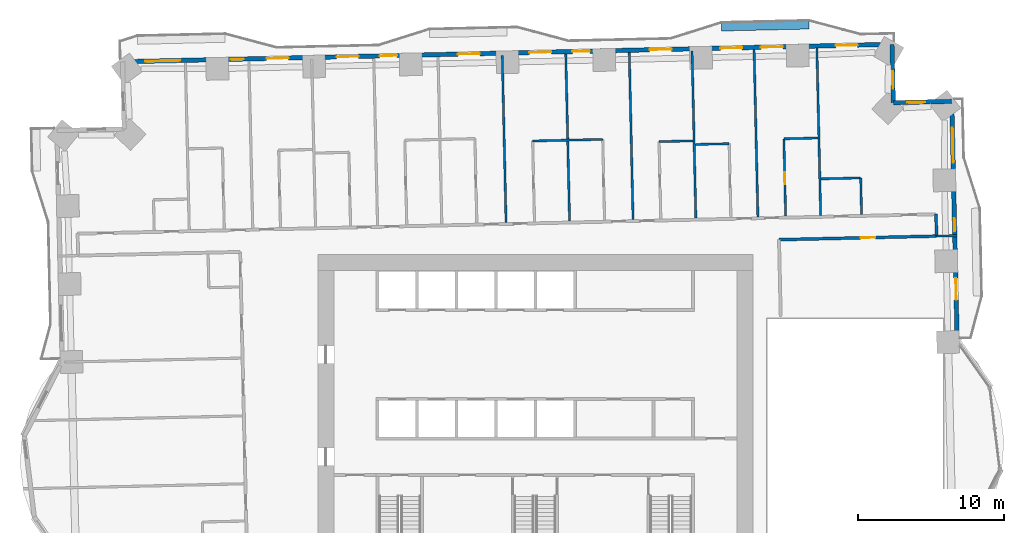
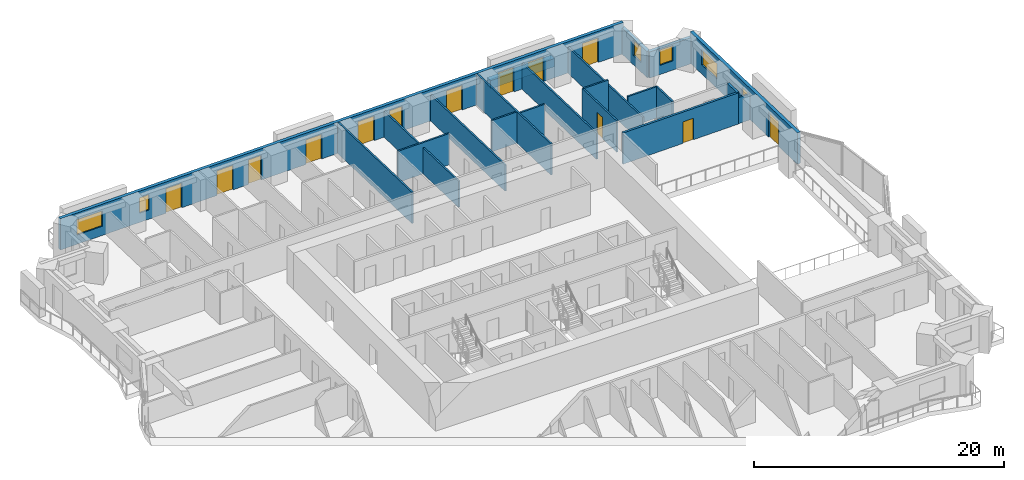
# One storey, part 11 of 16: 21 walls, 13 doors, 6 windows, 19 openings.
"""IFC4 building model written with IfcOpenShell, lengths in metres."""

from ifc_helpers import new_model, si_unit, direction, frame, frame_2d, origin, place, context, subcontext, project, spatial, rectangle, extrude, material, layer, layer_set, type_object, element, fill, save


model = new_model("IFC4")

# Units and contexts
model_context = context("Model", 3, precision=1e-05, world=origin(), true_north=direction((0.0, 1.0)))
body_context = subcontext(model_context, "Body", "Model", "MODEL_VIEW")
ifc_project = project(units=[si_unit("LENGTHUNIT", "METRE"), si_unit("AREAUNIT", "SQUARE_METRE"), si_unit("VOLUMEUNIT", "CUBIC_METRE"), si_unit("PLANEANGLEUNIT", "RADIAN"), si_unit("MASSUNIT", "GRAM", prefix="KILO")], contexts=[model_context])

# Site, building, storey
site_placement = place(None, origin())
site = spatial("IfcSite", under=ifc_project, at=site_placement, CompositionType="ELEMENT")
building_placement = place(site_placement, origin())
building = spatial("IfcBuilding", under=site, at=building_placement, Name="Mangrove Gate Tower", CompositionType="ELEMENT")
storey_placement = place(building_placement, frame((0.0, 0.0, 37.699951171875)))
storey = spatial("IfcBuildingStorey", under=building, at=storey_placement, Name="L08", CompositionType="ELEMENT", Elevation=37.699951171875)

# Wall, opening, door
ifc_material_1 = material(Name="Gypsum board on steel stud, EI 60", Category="steel")
ifc_layer_1 = layer(ifc_material_1, 0.199951171875)
ifc_layer_set_1 = layer_set([ifc_layer_1], Name="Corridor wall EI 60")
wall_type_1 = type_object("IfcWallType", Name="Corridor wall EI 60", PredefinedType="PARTITIONING", material=ifc_layer_set_1)
wall_1_placement = place(storey_placement, frame((16.678955078125, 12.91796875, 0.0), z_axis=(0.0, 0.0, 1.0), x_axis=(0.999742162372, 0.022707020428, 0.0)))
wall_1 = element("IfcWall", 1, at=wall_1_placement, inside=storey, type_object=wall_type_1, Name="WALL-L08-053", PredefinedType="PARTITIONING", context=body_context, shape_type="SweptSolid", body=[
    extrude(rectangle(XDim=10.794677734375, YDim=0.199951171875, at=frame_2d((5.3974609375, 0.0))), origin(), (0.0, 0.0, 1.0), 3.050048828125),
])
opening_1_placement = place(wall_1_placement, frame((5.597900390625, 0.0, 0.0)))
opening_1 = element("IfcOpeningElement", 2, at=opening_1_placement, cuts=wall_1, Name="Opening AD", PredefinedType="OPENING", context=body_context, shape_type="SweptSolid", body=[
    extrude(rectangle(XDim=1.0, YDim=2.10009765625, at=frame_2d((0.5, 1.050048828125))), frame((0.0, 0.10986328125, 0.0), z_axis=(0.0, -1.0, 0.0), x_axis=(1.0, 0.0, 0.0)), (0.0, 0.0, 1.0), 0.219970703125),
])
ifc_material_2 = material(Name="Timber door leaf", Category="wood")
door_type_1 = type_object("IfcDoorType", Name="Amenity door 1000", OperationType="SINGLE_SWING_LEFT", PredefinedType="DOOR", material=ifc_material_2)
door_1_placement = place(opening_1_placement, origin())
door_1 = element("IfcDoor", 3, at=door_1_placement, inside=storey, type_object=door_type_1, Name="DOOR-L08-GAM-c3b", OperationType="SINGLE_SWING_RIGHT", OverallHeight=2.10009765625, OverallWidth=1.0, PredefinedType="DOOR", context=body_context, shape_type="SweptSolid", body=[
    extrude(rectangle(XDim=1.0, YDim=2.10009765625, at=frame_2d((0.5, 1.050048828125))), frame((0.0, 0.02490234375, 0.0), z_axis=(0.0, -1.0, 0.0), x_axis=(1.0, 0.0, 0.0)), (0.0, 0.0, 1.0), 0.050048828125),
])
fill(opening_1, door_1)

# Wall
wall_2_placement = place(storey_placement, frame((27.470947265625, 13.1630859375, 0.0), z_axis=(0.0, 0.0, 1.0), x_axis=(-0.022617910375, 0.999744182344, 0.0)))
element("IfcWall", 4, at=wall_2_placement, inside=storey, type_object=wall_type_1, Name="WALL-L08-055", PredefinedType="PARTITIONING", context=body_context, shape_type="SweptSolid", body=[
    extrude(rectangle(XDim=1.50048828125, YDim=0.199951171875, at=frame_2d((0.750244140625, 0.0))), origin(), (0.0, 0.0, 1.0), 3.050048828125),
])

# Wall, openings, door, windows
ifc_material_3 = material(Name="Limestone", Category="masonry")
ifc_layer_2 = layer(ifc_material_3, 0.0400390625, Name="Limestone cladding")
ifc_material_4 = material(Name="Ventilated air gap")
ifc_layer_3 = layer(ifc_material_4, 0.0400390625, Name="Ventilated cavity")
ifc_material_5 = material(Name="Mineral wool insulation")
ifc_layer_4 = layer(ifc_material_5, 0.06005859375, Name="Insulation")
ifc_material_6 = material(Name="Breather membrane")
ifc_layer_5 = layer(ifc_material_6, 0.001953125, Name="Breather membrane")
ifc_material_7 = material(Name="Concrete C20/25 blockwork", Category="masonry")
ifc_layer_6 = layer(ifc_material_7, 0.14990234375, Name="Blockwork backing wall")
ifc_material_8 = material(Name="Gypsum plaster")
ifc_layer_7 = layer(ifc_material_8, 0.008056640625, Name="Internal plaster")
ifc_layer_set_2 = layer_set([ifc_layer_2, ifc_layer_3, ifc_layer_4, ifc_layer_5, ifc_layer_6, ifc_layer_7], Name="External wall 300 limestone cladding")
wall_type_2 = type_object("IfcWallType", Name="External wall 300 limestone cladding", PredefinedType="SOLIDWALL", material=ifc_layer_set_2)
wall_3_placement = place(storey_placement, frame((28.886962890625, 5.864013671875, 0.0), z_axis=(0.0, 0.0, 1.0), x_axis=(-0.022687182773, 0.999742612745, 0.0)))
wall_3 = element("IfcWall", 5, at=wall_3_placement, inside=storey, type_object=wall_type_2, Name="WALL-L08-E2", PredefinedType="SOLIDWALL", context=body_context, shape_type="SweptSolid", body=[
    extrude(rectangle(XDim=16.529052734375, YDim=0.300048828125, at=frame_2d((8.2646484375, 0.0))), origin(), (0.0, 0.0, 1.0), 3.050048828125),
])
opening_2_placement = place(wall_3_placement, frame((2.928955078125, 0.0, 0.0)))
opening_2 = element("IfcOpeningElement", 6, at=opening_2_placement, cuts=wall_3, Name="Opening BD1", PredefinedType="OPENING", context=body_context, shape_type="SweptSolid", body=[
    extrude(rectangle(XDim=1.5, YDim=2.39990234375, at=frame_2d((0.75, 1.199951171875))), frame((0.0, 0.159912109375, 0.0), z_axis=(0.0, -1.0, 0.0), x_axis=(1.0, 0.0, 0.0)), (0.0, 0.0, 1.0), 0.320068359375),
])
opening_3_placement = place(wall_3_placement, frame((7.62890625, 0.0, 0.89990234375)))
opening_3 = element("IfcOpeningElement", 7, at=opening_3_placement, cuts=wall_3, Name="Opening W5", PredefinedType="OPENING", context=body_context, shape_type="SweptSolid", body=[
    extrude(rectangle(XDim=0.89990234375, YDim=1.5, at=frame_2d((0.449951171875, 0.75))), frame((0.0, 0.159912109375, 0.0), z_axis=(0.0, -1.0, 0.0), x_axis=(1.0, 0.0, 0.0)), (0.0, 0.0, 1.0), 0.320068359375),
])
opening_4_placement = place(wall_3_placement, frame((12.3291015625, 0.0, 0.89990234375)))
opening_4 = element("IfcOpeningElement", 8, at=opening_4_placement, cuts=wall_3, Name="Opening W2", PredefinedType="OPENING", context=body_context, shape_type="SweptSolid", body=[
    extrude(rectangle(XDim=2.39990234375, YDim=1.5, at=frame_2d((1.199951171875, 0.75))), frame((0.0, 0.159912109375, 0.0), z_axis=(0.0, -1.0, 0.0), x_axis=(1.0, 0.0, 0.0)), (0.0, 0.0, 1.0), 0.320068359375),
])
ifc_material_9 = material(Name="Aluminium frame with laminated clear glass", Category="aluminium")
door_type_2 = type_object("IfcDoorType", Name="Balcony sliding door 1500x2400", OperationType="SLIDING_TO_LEFT", PredefinedType="DOOR", material=ifc_material_9)
door_2_placement = place(opening_2_placement, origin())
door_2 = element("IfcDoor", 9, at=door_2_placement, inside=storey, type_object=door_type_2, Name="DOOR-L08-E2-1", OperationType="SLIDING_TO_LEFT", OverallHeight=2.39990234375, OverallWidth=1.5, PredefinedType="DOOR", context=body_context, shape_type="SweptSolid", body=[
    extrude(rectangle(XDim=1.5, YDim=2.39990234375, at=frame_2d((0.75, 1.199951171875))), frame((0.0, 0.02490234375, 0.0), z_axis=(0.0, -1.0, 0.0), x_axis=(1.0, 0.0, 0.0)), (0.0, 0.0, 1.0), 0.050048828125),
])
fill(opening_2, door_2)
ifc_material_10 = material(Name="Aluminium frame with double-glazed low-e glass", Category="aluminium")
window_type_1 = type_object("IfcWindowType", Name="Corner room window 2400x1500", PartitioningType="DOUBLE_PANEL_VERTICAL", PredefinedType="WINDOW", material=ifc_material_10)
window_1_placement = place(opening_4_placement, origin())
window_1 = element("IfcWindow", 10, at=window_1_placement, inside=storey, type_object=window_type_1, Name="WIN-L08-E2-3", OverallHeight=1.5, OverallWidth=2.39990234375, PartitioningType="DOUBLE_PANEL_VERTICAL", PredefinedType="WINDOW", context=body_context, shape_type="SweptSolid", body=[
    extrude(rectangle(XDim=2.39990234375, YDim=1.5, at=frame_2d((1.199951171875, 0.75))), frame((0.0, 0.030029296875, 0.0), z_axis=(0.0, -1.0, 0.0), x_axis=(1.0, 0.0, 0.0)), (0.0, 0.0, 1.0), 0.06005859375),
])
fill(opening_4, window_1)
ifc_material_11 = material(Name="Aluminium frame with double-glazed low-e glass", Category="aluminium")
window_type_2 = type_object("IfcWindowType", Name="Narrow window 900x1500", PartitioningType="SINGLE_PANEL", PredefinedType="WINDOW", material=ifc_material_11)
window_2_placement = place(opening_3_placement, origin())
window_2 = element("IfcWindow", 11, at=window_2_placement, inside=storey, type_object=window_type_2, Name="WIN-L08-E2-2", OverallHeight=1.5, OverallWidth=0.89990234375, PartitioningType="SINGLE_PANEL", PredefinedType="WINDOW", context=body_context, shape_type="SweptSolid", body=[
    extrude(rectangle(XDim=0.89990234375, YDim=1.5, at=frame_2d((0.449951171875, 0.75))), frame((0.0, 0.030029296875, 0.0), z_axis=(0.0, -1.0, 0.0), x_axis=(1.0, 0.0, 0.0)), (0.0, 0.0, 1.0), 0.06005859375),
])
fill(opening_3, window_2)

# Wall, opening, window
wall_4_placement = place(storey_placement, frame((28.511962890625, 22.388916015625, 0.0), z_axis=(0.0, 0.0, 1.0), x_axis=(-0.999747725427, -0.022460754759, 0.0)))
wall_4 = element("IfcWall", 12, at=wall_4_placement, inside=storey, type_object=wall_type_2, Name="WALL-L08-N3", PredefinedType="SOLIDWALL", context=body_context, shape_type="SweptSolid", body=[
    extrude(rectangle(XDim=4.0, YDim=0.300048828125, at=frame_2d((2.0, 0.0))), origin(), (0.0, 0.0, 1.0), 2.550048828125),
])
opening_5_placement = place(wall_4_placement, frame((1.8310546875, 0.0, 0.89990234375)))
opening_5 = element("IfcOpeningElement", 13, at=opening_5_placement, cuts=wall_4, Name="Opening W1", PredefinedType="OPENING", context=body_context, shape_type="SweptSolid", body=[
    extrude(rectangle(XDim=1.199951171875, YDim=1.5, at=frame_2d((0.60009765625, 0.75))), frame((0.0, 0.159912109375, 0.0), z_axis=(0.0, -1.0, 0.0), x_axis=(1.0, 0.0, 0.0)), (0.0, 0.0, 1.0), 0.320068359375),
])
ifc_material_12 = material(Name="Aluminium frame with double-glazed low-e glass", Category="aluminium")
window_type_3 = type_object("IfcWindowType", Name="Side lite 1200x1500", PartitioningType="SINGLE_PANEL", PredefinedType="WINDOW", material=ifc_material_12)
window_3_placement = place(opening_5_placement, origin())
window_3 = element("IfcWindow", 14, at=window_3_placement, inside=storey, type_object=window_type_3, Name="WIN-L08-N3-1", OverallHeight=1.5, OverallWidth=1.199951171875, PartitioningType="SINGLE_PANEL", PredefinedType="WINDOW", context=body_context, shape_type="SweptSolid", body=[
    extrude(rectangle(XDim=1.199951171875, YDim=1.5, at=frame_2d((0.60009765625, 0.75))), frame((0.0, 0.030029296875, 0.0), z_axis=(0.0, -1.0, 0.0), x_axis=(1.0, 0.0, 0.0)), (0.0, 0.0, 1.0), 0.06005859375),
])
fill(opening_5, window_3)

wall_5_placement = place(storey_placement, frame((24.512939453125, 22.299072265625, 0.0), z_axis=(0.0, 0.0, 1.0), x_axis=(-0.022460754759, 0.999747725427, 0.0)))
wall_5 = element("IfcWall", 15, at=wall_5_placement, inside=storey, type_object=wall_type_2, Name="WALL-L08-E4", PredefinedType="SOLIDWALL", context=body_context, shape_type="SweptSolid", body=[
    extrude(rectangle(XDim=4.0, YDim=0.300048828125, at=frame_2d((2.0, 0.0))), origin(), (0.0, 0.0, 1.0), 2.550048828125),
])
opening_6_placement = place(wall_5_placement, frame((0.9599609375, 0.0, 0.89990234375)))
opening_6 = element("IfcOpeningElement", 16, at=opening_6_placement, cuts=wall_5, Name="Opening W1", PredefinedType="OPENING", context=body_context, shape_type="SweptSolid", body=[
    extrude(rectangle(XDim=1.199951171875, YDim=1.5, at=frame_2d((0.60009765625, 0.75))), frame((0.0, 0.159912109375, 0.0), z_axis=(0.0, -1.0, 0.0), x_axis=(1.0, 0.0, 0.0)), (0.0, 0.0, 1.0), 0.320068359375),
])
window_4_placement = place(opening_6_placement, origin())
window_4 = element("IfcWindow", 17, at=window_4_placement, inside=storey, type_object=window_type_3, Name="WIN-L08-E4-1", OverallHeight=1.5, OverallWidth=1.199951171875, PartitioningType="SINGLE_PANEL", PredefinedType="WINDOW", context=body_context, shape_type="SweptSolid", body=[
    extrude(rectangle(XDim=1.199951171875, YDim=1.5, at=frame_2d((0.60009765625, 0.75))), frame((0.0, 0.030029296875, 0.0), z_axis=(0.0, -1.0, 0.0), x_axis=(1.0, 0.0, 0.0)), (0.0, 0.0, 1.0), 0.06005859375),
])
fill(opening_6, window_4)

# Wall, openings, doors, windows
wall_6_placement = place(storey_placement, frame((24.423095703125, 26.298095703125, 0.0), z_axis=(0.0, 0.0, 1.0), x_axis=(-0.999742433108, -0.022695097355, 0.0)))
wall_6 = element("IfcWall", 18, at=wall_6_placement, inside=storey, type_object=wall_type_2, Name="WALL-L08-N5", PredefinedType="SOLIDWALL", context=body_context, shape_type="SweptSolid", body=[
    extrude(rectangle(XDim=52.70068359375, YDim=0.300048828125, at=frame_2d((26.350341796875, 0.0))), origin(), (0.0, 0.0, 1.0), 3.050048828125),
])
opening_7_placement = place(wall_6_placement, frame((2.35693359375, 0.0, 0.0)))
opening_7 = element("IfcOpeningElement", 19, at=opening_7_placement, cuts=wall_6, Name="Opening BD1", PredefinedType="OPENING", context=body_context, shape_type="SweptSolid", body=[
    extrude(rectangle(XDim=1.5, YDim=2.39990234375, at=frame_2d((0.75, 1.199951171875))), frame((0.0, 0.159912109375, 0.0), z_axis=(0.0, -1.0, 0.0), x_axis=(1.0, 0.0, 0.0)), (0.0, 0.0, 1.0), 0.320068359375),
])
opening_8_placement = place(wall_6_placement, frame((7.47509765625, 0.0, 0.0)))
opening_8 = element("IfcOpeningElement", 20, at=opening_8_placement, cuts=wall_6, Name="Opening BD1", PredefinedType="OPENING", context=body_context, shape_type="SweptSolid", body=[
    extrude(rectangle(XDim=1.5, YDim=2.39990234375, at=frame_2d((0.75, 1.199951171875))), frame((0.0, 0.159912109375, 0.0), z_axis=(0.0, -1.0, 0.0), x_axis=(1.0, 0.0, 0.0)), (0.0, 0.0, 1.0), 0.320068359375),
])
opening_9_placement = place(wall_6_placement, frame((10.261962890625, 0.0, 0.0)))
opening_9 = element("IfcOpeningElement", 21, at=opening_9_placement, cuts=wall_6, Name="Opening BD1", PredefinedType="OPENING", context=body_context, shape_type="SweptSolid", body=[
    extrude(rectangle(XDim=1.5, YDim=2.39990234375, at=frame_2d((0.75, 1.199951171875))), frame((0.0, 0.159912109375, 0.0), z_axis=(0.0, -1.0, 0.0), x_axis=(1.0, 0.0, 0.0)), (0.0, 0.0, 1.0), 0.320068359375),
])
opening_10_placement = place(wall_6_placement, frame((15.10009765625, 0.0, 0.0)))
opening_10 = element("IfcOpeningElement", 22, at=opening_10_placement, cuts=wall_6, Name="Opening BD1", PredefinedType="OPENING", context=body_context, shape_type="SweptSolid", body=[
    extrude(rectangle(XDim=1.5, YDim=2.39990234375, at=frame_2d((0.75, 1.199951171875))), frame((0.0, 0.159912109375, 0.0), z_axis=(0.0, -1.0, 0.0), x_axis=(1.0, 0.0, 0.0)), (0.0, 0.0, 1.0), 0.320068359375),
])
opening_11_placement = place(wall_6_placement, frame((20.699951171875, 0.0, 0.0)))
opening_11 = element("IfcOpeningElement", 23, at=opening_11_placement, cuts=wall_6, Name="Opening BD2", PredefinedType="OPENING", context=body_context, shape_type="SweptSolid", body=[
    extrude(rectangle(XDim=1.199951171875, YDim=2.39990234375, at=frame_2d((0.60009765625, 1.199951171875))), frame((0.0, 0.159912109375, 0.0), z_axis=(0.0, -1.0, 0.0), x_axis=(1.0, 0.0, 0.0)), (0.0, 0.0, 1.0), 0.320068359375),
])
opening_12_placement = place(wall_6_placement, frame((23.3369140625, 0.0, 0.0)))
opening_12 = element("IfcOpeningElement", 24, at=opening_12_placement, cuts=wall_6, Name="Opening BD1", PredefinedType="OPENING", context=body_context, shape_type="SweptSolid", body=[
    extrude(rectangle(XDim=1.5, YDim=2.39990234375, at=frame_2d((0.75, 1.199951171875))), frame((0.0, 0.159912109375, 0.0), z_axis=(0.0, -1.0, 0.0), x_axis=(1.0, 0.0, 0.0)), (0.0, 0.0, 1.0), 0.320068359375),
])
opening_13_placement = place(wall_6_placement, frame((28.238037109375, 0.0, 0.0)))
opening_13 = element("IfcOpeningElement", 25, at=opening_13_placement, cuts=wall_6, Name="Opening BD1", PredefinedType="OPENING", context=body_context, shape_type="SweptSolid", body=[
    extrude(rectangle(XDim=1.5, YDim=2.39990234375, at=frame_2d((0.75, 1.199951171875))), frame((0.0, 0.159912109375, 0.0), z_axis=(0.0, -1.0, 0.0), x_axis=(1.0, 0.0, 0.0)), (0.0, 0.0, 1.0), 0.320068359375),
])
opening_14_placement = place(wall_6_placement, frame((33.89990234375, 0.0, 0.0)))
opening_14 = element("IfcOpeningElement", 26, at=opening_14_placement, cuts=wall_6, Name="Opening BD2", PredefinedType="OPENING", context=body_context, shape_type="SweptSolid", body=[
    extrude(rectangle(XDim=1.199951171875, YDim=2.39990234375, at=frame_2d((0.60009765625, 1.199951171875))), frame((0.0, 0.159912109375, 0.0), z_axis=(0.0, -1.0, 0.0), x_axis=(1.0, 0.0, 0.0)), (0.0, 0.0, 1.0), 0.320068359375),
])
opening_15_placement = place(wall_6_placement, frame((36.5380859375, 0.0, 0.0)))
opening_15 = element("IfcOpeningElement", 27, at=opening_15_placement, cuts=wall_6, Name="Opening BD1", PredefinedType="OPENING", context=body_context, shape_type="SweptSolid", body=[
    extrude(rectangle(XDim=1.5, YDim=2.39990234375, at=frame_2d((0.75, 1.199951171875))), frame((0.0, 0.159912109375, 0.0), z_axis=(0.0, -1.0, 0.0), x_axis=(1.0, 0.0, 0.0)), (0.0, 0.0, 1.0), 0.320068359375),
])
opening_16_placement = place(wall_6_placement, frame((41.337890625, 0.0, 0.0)))
opening_16 = element("IfcOpeningElement", 28, at=opening_16_placement, cuts=wall_6, Name="Opening BD1", PredefinedType="OPENING", context=body_context, shape_type="SweptSolid", body=[
    extrude(rectangle(XDim=1.5, YDim=2.39990234375, at=frame_2d((0.75, 1.199951171875))), frame((0.0, 0.159912109375, 0.0), z_axis=(0.0, -1.0, 0.0), x_axis=(1.0, 0.0, 0.0)), (0.0, 0.0, 1.0), 0.320068359375),
])
opening_17_placement = place(wall_6_placement, frame((44.39990234375, 0.0, 0.89990234375)))
opening_17 = element("IfcOpeningElement", 29, at=opening_17_placement, cuts=wall_6, Name="Opening W5", PredefinedType="OPENING", context=body_context, shape_type="SweptSolid", body=[
    extrude(rectangle(XDim=0.89990234375, YDim=1.5, at=frame_2d((0.449951171875, 0.75))), frame((0.0, 0.159912109375, 0.0), z_axis=(0.0, -1.0, 0.0), x_axis=(1.0, 0.0, 0.0)), (0.0, 0.0, 1.0), 0.320068359375),
])
opening_18_placement = place(wall_6_placement, frame((48.763916015625, 0.0, 0.89990234375)))
opening_18 = element("IfcOpeningElement", 30, at=opening_18_placement, cuts=wall_6, Name="Opening W2", PredefinedType="OPENING", context=body_context, shape_type="SweptSolid", body=[
    extrude(rectangle(XDim=2.39990234375, YDim=1.5, at=frame_2d((1.199951171875, 0.75))), frame((0.0, 0.159912109375, 0.0), z_axis=(0.0, -1.0, 0.0), x_axis=(1.0, 0.0, 0.0)), (0.0, 0.0, 1.0), 0.320068359375),
])
ifc_material_13 = material(Name="Aluminium frame with laminated clear glass", Category="aluminium")
door_type_3 = type_object("IfcDoorType", Name="Balcony sliding door 1200x2400", OperationType="SLIDING_TO_LEFT", PredefinedType="DOOR", material=ifc_material_13)
door_3_placement = place(opening_11_placement, origin())
door_3 = element("IfcDoor", 31, at=door_3_placement, inside=storey, type_object=door_type_3, Name="DOOR-L08-N5-5", OperationType="SLIDING_TO_LEFT", OverallHeight=2.39990234375, OverallWidth=1.199951171875, PredefinedType="DOOR", context=body_context, shape_type="SweptSolid", body=[
    extrude(rectangle(XDim=1.199951171875, YDim=2.39990234375, at=frame_2d((0.60009765625, 1.199951171875))), frame((0.0, 0.02490234375, 0.0), z_axis=(0.0, -1.0, 0.0), x_axis=(1.0, 0.0, 0.0)), (0.0, 0.0, 1.0), 0.050048828125),
])
fill(opening_11, door_3)
door_4_placement = place(opening_14_placement, origin())
door_4 = element("IfcDoor", 32, at=door_4_placement, inside=storey, type_object=door_type_3, Name="DOOR-L08-N5-8", OperationType="SLIDING_TO_LEFT", OverallHeight=2.39990234375, OverallWidth=1.199951171875, PredefinedType="DOOR", context=body_context, shape_type="SweptSolid", body=[
    extrude(rectangle(XDim=1.199951171875, YDim=2.39990234375, at=frame_2d((0.60009765625, 1.199951171875))), frame((0.0, 0.02490234375, 0.0), z_axis=(0.0, -1.0, 0.0), x_axis=(1.0, 0.0, 0.0)), (0.0, 0.0, 1.0), 0.050048828125),
])
fill(opening_14, door_4)
door_5_placement = place(opening_7_placement, origin())
door_5 = element("IfcDoor", 33, at=door_5_placement, inside=storey, type_object=door_type_2, Name="DOOR-L08-N5-1", OperationType="SLIDING_TO_LEFT", OverallHeight=2.39990234375, OverallWidth=1.5, PredefinedType="DOOR", context=body_context, shape_type="SweptSolid", body=[
    extrude(rectangle(XDim=1.5, YDim=2.39990234375, at=frame_2d((0.75, 1.199951171875))), frame((0.0, 0.02490234375, 0.0), z_axis=(0.0, -1.0, 0.0), x_axis=(1.0, 0.0, 0.0)), (0.0, 0.0, 1.0), 0.050048828125),
])
fill(opening_7, door_5)
door_6_placement = place(opening_8_placement, origin())
door_6 = element("IfcDoor", 34, at=door_6_placement, inside=storey, type_object=door_type_2, Name="DOOR-L08-N5-2", OperationType="SLIDING_TO_LEFT", OverallHeight=2.39990234375, OverallWidth=1.5, PredefinedType="DOOR", context=body_context, shape_type="SweptSolid", body=[
    extrude(rectangle(XDim=1.5, YDim=2.39990234375, at=frame_2d((0.75, 1.199951171875))), frame((0.0, 0.02490234375, 0.0), z_axis=(0.0, -1.0, 0.0), x_axis=(1.0, 0.0, 0.0)), (0.0, 0.0, 1.0), 0.050048828125),
])
fill(opening_8, door_6)
door_7_placement = place(opening_9_placement, origin())
door_7 = element("IfcDoor", 35, at=door_7_placement, inside=storey, type_object=door_type_2, Name="DOOR-L08-N5-3", OperationType="SLIDING_TO_LEFT", OverallHeight=2.39990234375, OverallWidth=1.5, PredefinedType="DOOR", context=body_context, shape_type="SweptSolid", body=[
    extrude(rectangle(XDim=1.5, YDim=2.39990234375, at=frame_2d((0.75, 1.199951171875))), frame((0.0, 0.02490234375, 0.0), z_axis=(0.0, -1.0, 0.0), x_axis=(1.0, 0.0, 0.0)), (0.0, 0.0, 1.0), 0.050048828125),
])
fill(opening_9, door_7)
door_8_placement = place(opening_10_placement, origin())
door_8 = element("IfcDoor", 36, at=door_8_placement, inside=storey, type_object=door_type_2, Name="DOOR-L08-N5-4", OperationType="SLIDING_TO_LEFT", OverallHeight=2.39990234375, OverallWidth=1.5, PredefinedType="DOOR", context=body_context, shape_type="SweptSolid", body=[
    extrude(rectangle(XDim=1.5, YDim=2.39990234375, at=frame_2d((0.75, 1.199951171875))), frame((0.0, 0.02490234375, 0.0), z_axis=(0.0, -1.0, 0.0), x_axis=(1.0, 0.0, 0.0)), (0.0, 0.0, 1.0), 0.050048828125),
])
fill(opening_10, door_8)
door_9_placement = place(opening_12_placement, origin())
door_9 = element("IfcDoor", 37, at=door_9_placement, inside=storey, type_object=door_type_2, Name="DOOR-L08-N5-6", OperationType="SLIDING_TO_LEFT", OverallHeight=2.39990234375, OverallWidth=1.5, PredefinedType="DOOR", context=body_context, shape_type="SweptSolid", body=[
    extrude(rectangle(XDim=1.5, YDim=2.39990234375, at=frame_2d((0.75, 1.199951171875))), frame((0.0, 0.02490234375, 0.0), z_axis=(0.0, -1.0, 0.0), x_axis=(1.0, 0.0, 0.0)), (0.0, 0.0, 1.0), 0.050048828125),
])
fill(opening_12, door_9)
door_10_placement = place(opening_13_placement, origin())
door_10 = element("IfcDoor", 38, at=door_10_placement, inside=storey, type_object=door_type_2, Name="DOOR-L08-N5-7", OperationType="SLIDING_TO_LEFT", OverallHeight=2.39990234375, OverallWidth=1.5, PredefinedType="DOOR", context=body_context, shape_type="SweptSolid", body=[
    extrude(rectangle(XDim=1.5, YDim=2.39990234375, at=frame_2d((0.75, 1.199951171875))), frame((0.0, 0.02490234375, 0.0), z_axis=(0.0, -1.0, 0.0), x_axis=(1.0, 0.0, 0.0)), (0.0, 0.0, 1.0), 0.050048828125),
])
fill(opening_13, door_10)
door_11_placement = place(opening_15_placement, origin())
door_11 = element("IfcDoor", 39, at=door_11_placement, inside=storey, type_object=door_type_2, Name="DOOR-L08-N5-9", OperationType="SLIDING_TO_LEFT", OverallHeight=2.39990234375, OverallWidth=1.5, PredefinedType="DOOR", context=body_context, shape_type="SweptSolid", body=[
    extrude(rectangle(XDim=1.5, YDim=2.39990234375, at=frame_2d((0.75, 1.199951171875))), frame((0.0, 0.02490234375, 0.0), z_axis=(0.0, -1.0, 0.0), x_axis=(1.0, 0.0, 0.0)), (0.0, 0.0, 1.0), 0.050048828125),
])
fill(opening_15, door_11)
door_12_placement = place(opening_16_placement, origin())
door_12 = element("IfcDoor", 40, at=door_12_placement, inside=storey, type_object=door_type_2, Name="DOOR-L08-N5-10", OperationType="SLIDING_TO_LEFT", OverallHeight=2.39990234375, OverallWidth=1.5, PredefinedType="DOOR", context=body_context, shape_type="SweptSolid", body=[
    extrude(rectangle(XDim=1.5, YDim=2.39990234375, at=frame_2d((0.75, 1.199951171875))), frame((0.0, 0.02490234375, 0.0), z_axis=(0.0, -1.0, 0.0), x_axis=(1.0, 0.0, 0.0)), (0.0, 0.0, 1.0), 0.050048828125),
])
fill(opening_16, door_12)
window_5_placement = place(opening_18_placement, origin())
window_5 = element("IfcWindow", 41, at=window_5_placement, inside=storey, type_object=window_type_1, Name="WIN-L08-N5-12", OverallHeight=1.5, OverallWidth=2.39990234375, PartitioningType="DOUBLE_PANEL_VERTICAL", PredefinedType="WINDOW", context=body_context, shape_type="SweptSolid", body=[
    extrude(rectangle(XDim=2.39990234375, YDim=1.5, at=frame_2d((1.199951171875, 0.75))), frame((0.0, 0.030029296875, 0.0), z_axis=(0.0, -1.0, 0.0), x_axis=(1.0, 0.0, 0.0)), (0.0, 0.0, 1.0), 0.06005859375),
])
fill(opening_18, window_5)
window_6_placement = place(opening_17_placement, origin())
window_6 = element("IfcWindow", 42, at=window_6_placement, inside=storey, type_object=window_type_2, Name="WIN-L08-N5-11", OverallHeight=1.5, OverallWidth=0.89990234375, PartitioningType="SINGLE_PANEL", PredefinedType="WINDOW", context=body_context, shape_type="SweptSolid", body=[
    extrude(rectangle(XDim=0.89990234375, YDim=1.5, at=frame_2d((0.449951171875, 0.75))), frame((0.0, 0.030029296875, 0.0), z_axis=(0.0, -1.0, 0.0), x_axis=(1.0, 0.0, 0.0)), (0.0, 0.0, 1.0), 0.06005859375),
])
fill(opening_17, window_6)

# Walls
ifc_material_14 = material(Name="Gypsum board on steel stud, EI 60", Category="steel")
ifc_layer_8 = layer(ifc_material_14, 0.14990234375)
ifc_layer_set_3 = layer_set([ifc_layer_8], Name="Party wall 150 EI 60")
wall_type_3 = type_object("IfcWallType", Name="Party wall 150 EI 60", PredefinedType="PARTITIONING", material=ifc_layer_set_3)
wall_7_placement = place(storey_placement, frame((27.470947265625, 13.1630859375, 0.0), z_axis=(0.0, 0.0, 1.0), x_axis=(0.999739219063, 0.022836240226, 0.0)))
element("IfcWall", 43, at=wall_7_placement, inside=storey, type_object=wall_type_3, Name="WALL-L08-054", PredefinedType="PARTITIONING", context=body_context, shape_type="SweptSolid", body=[
    extrude(rectangle(XDim=1.400390625, YDim=0.14990234375, at=frame_2d((0.7001953125, 0.0))), origin(), (0.0, 0.0, 1.0), 2.550048828125),
])
wall_8_placement = place(storey_placement, frame((-2.007080078125, 14.094970703125, 0.0), z_axis=(0.0, 0.0, 1.0), x_axis=(-0.022708327922, 0.999742132674, 0.0)))
element("IfcWall", 44, at=wall_8_placement, inside=storey, type_object=wall_type_3, Name="WALL-L08-068", PredefinedType="PARTITIONING", context=body_context, shape_type="SweptSolid", body=[
    extrude(rectangle(XDim=11.449951171875, YDim=0.14990234375, at=frame_2d((5.72509765625, 0.0))), origin(), (0.0, 0.0, 1.0), 3.050048828125),
])
wall_9_placement = place(storey_placement, frame((2.342041015625, 14.194091796875, 0.0), z_axis=(0.0, 0.0, 1.0), x_axis=(-0.022708327922, 0.999742132674, 0.0)))
element("IfcWall", 45, at=wall_9_placement, inside=storey, type_object=wall_type_3, Name="WALL-L08-070", PredefinedType="PARTITIONING", context=body_context, shape_type="SweptSolid", body=[
    extrude(rectangle(XDim=11.449951171875, YDim=0.14990234375, at=frame_2d((5.72509765625, 0.0))), origin(), (0.0, 0.0, 1.0), 2.550048828125),
])
wall_10_placement = place(storey_placement, frame((6.68994140625, 14.2919921875, 0.0), z_axis=(0.0, 0.0, 1.0), x_axis=(-0.022621153305, 0.999744108971, 0.0)))
element("IfcWall", 46, at=wall_10_placement, inside=storey, type_object=wall_type_3, Name="WALL-L08-072", PredefinedType="PARTITIONING", context=body_context, shape_type="SweptSolid", body=[
    extrude(rectangle(XDim=11.450927734375, YDim=0.14990234375, at=frame_2d((5.7255859375, 0.0))), origin(), (0.0, 0.0, 1.0), 2.550048828125),
])
wall_11_placement = place(storey_placement, frame((10.989013671875, 14.389892578125, 0.0), z_axis=(0.0, 0.0, 1.0), x_axis=(-0.022623082162, 0.999744065325, 0.0)))
element("IfcWall", 47, at=wall_11_placement, inside=storey, type_object=wall_type_3, Name="WALL-L08-074", PredefinedType="PARTITIONING", context=body_context, shape_type="SweptSolid", body=[
    extrude(rectangle(XDim=11.449951171875, YDim=0.14990234375, at=frame_2d((5.72509765625, 0.0))), origin(), (0.0, 0.0, 1.0), 3.050048828125),
])
wall_12_placement = place(storey_placement, frame((15.238037109375, 14.486083984375, 0.0), z_axis=(0.0, 0.0, 1.0), x_axis=(-0.022706391805, 0.999742176649, 0.0)))
element("IfcWall", 48, at=wall_12_placement, inside=storey, type_object=wall_type_3, Name="WALL-L08-076", PredefinedType="PARTITIONING", context=body_context, shape_type="SweptSolid", body=[
    extrude(rectangle(XDim=11.450927734375, YDim=0.14990234375, at=frame_2d((5.7255859375, 0.0))), origin(), (0.0, 0.0, 1.0), 2.550048828125),
])

# Wall, opening, door
wall_13_placement = place(storey_placement, frame((17.137939453125, 14.529052734375, 0.0), z_axis=(0.0, 0.0, 1.0), x_axis=(-0.022616771387, 0.999744208111, 0.0)))
wall_13 = element("IfcWall", 49, at=wall_13_placement, inside=storey, type_object=wall_type_3, Name="WALL-L08-077", PredefinedType="PARTITIONING", context=body_context, shape_type="SweptSolid", body=[
    extrude(rectangle(XDim=5.30029296875, YDim=0.14990234375, at=frame_2d((2.650146484375, 0.0))), origin(), (0.0, 0.0, 1.0), 3.050048828125),
])
opening_19_placement = place(wall_13_placement, frame((2.199951171875, 0.0, 0.0)))
opening_19 = element("IfcOpeningElement", 50, at=opening_19_placement, cuts=wall_13, Name="Opening ED", PredefinedType="OPENING", context=body_context, shape_type="SweptSolid", body=[
    extrude(rectangle(XDim=0.800048828125, YDim=2.10009765625, at=frame_2d((0.39990234375, 1.050048828125))), frame((0.0, 0.0849609375, 0.0), z_axis=(0.0, -1.0, 0.0), x_axis=(1.0, 0.0, 0.0)), (0.0, 0.0, 1.0), 0.169921875),
])
ifc_material_15 = material(Name="Timber door leaf", Category="wood")
door_type_4 = type_object("IfcDoorType", Name="En-suite door 800", OperationType="SINGLE_SWING_LEFT", PredefinedType="DOOR", material=ifc_material_15)
door_13_placement = place(opening_19_placement, origin())
door_13 = element("IfcDoor", 51, at=door_13_placement, inside=storey, type_object=door_type_4, Name="DOOR-L08-ENS-c310", OperationType="SINGLE_SWING_RIGHT", OverallHeight=2.10009765625, OverallWidth=0.800048828125, PredefinedType="DOOR", context=body_context, shape_type="SweptSolid", body=[
    extrude(rectangle(XDim=0.800048828125, YDim=2.10009765625, at=frame_2d((0.39990234375, 1.050048828125))), frame((0.0, 0.02490234375, 0.0), z_axis=(0.0, -1.0, 0.0), x_axis=(1.0, 0.0, 0.0)), (0.0, 0.0, 1.0), 0.050048828125),
])
fill(opening_19, door_13)

# Walls
wall_14_placement = place(storey_placement, frame((19.537109375, 14.583984375, 0.0), z_axis=(0.0, 0.0, 1.0), x_axis=(-0.022708327922, 0.999742132674, 0.0)))
element("IfcWall", 52, at=wall_14_placement, inside=storey, type_object=wall_type_3, Name="WALL-L08-078", PredefinedType="PARTITIONING", context=body_context, shape_type="SweptSolid", body=[
    extrude(rectangle(XDim=11.449951171875, YDim=0.14990234375, at=frame_2d((5.72509765625, 0.0))), origin(), (0.0, 0.0, 1.0), 2.550048828125),
])
wall_15_placement = place(storey_placement, frame((22.3359375, 14.64697265625, 0.0), z_axis=(0.0, 0.0, 1.0), x_axis=(-0.022357691225, 0.99975003558, 0.0)))
element("IfcWall", 53, at=wall_15_placement, inside=storey, type_object=wall_type_3, Name="WALL-L08-079", PredefinedType="PARTITIONING", context=body_context, shape_type="SweptSolid", body=[
    extrude(rectangle(XDim=2.500732421875, YDim=0.14990234375, at=frame_2d((1.25048828125, 0.0))), origin(), (0.0, 0.0, 1.0), 3.050048828125),
])
wall_16_placement = place(storey_placement, frame((19.554931640625, 17.0849609375, 0.0), z_axis=(0.0, 0.0, 1.0), x_axis=(0.999741187782, 0.022749889061, 0.0)))
element("IfcWall", 54, at=wall_16_placement, inside=storey, type_object=wall_type_3, Name="WALL-L08-081", PredefinedType="PARTITIONING", context=body_context, shape_type="SweptSolid", body=[
    extrude(rectangle(XDim=2.725830078125, YDim=0.14990234375, at=frame_2d((1.36279296875, 0.0))), origin(), (0.0, 0.0, 1.0), 3.050048828125),
])
for number, where, z_axis, x_axis, name in (
    (55, (10.949951171875, 19.43994140625, 0.0), (0.0, 0.0, 1.0), (0.999740260747, 0.02279059109, 0.0), "WALL-L08-083"),
    (56, (8.469970703125, 19.634033203125, 0.0), (0.0, 0.0, 1.0), (0.999740260747, 0.02279059109, 0.0), "WALL-L08-085"),
    (57, (17.01806640625, 19.827880859375, 0.0), (0.0, 0.0, 1.0), (0.999737862264, 0.022895561926, 0.0), "WALL-L08-086"),
):
    element("IfcWall", number, at=place(storey_placement, frame(where, z_axis=z_axis, x_axis=x_axis)), inside=storey, type_object=wall_type_3, Name=name, PredefinedType="PARTITIONING", context=body_context, shape_type="SweptSolid", body=[
        extrude(rectangle(XDim=2.324462890625, YDim=0.14990234375, at=frame_2d((1.162109375, 0.0))), origin(), (0.0, 0.0, 1.0), 3.050048828125),
    ])
wall_17_placement = place(storey_placement, frame((-0.18408203125, 19.677978515625, 0.0), z_axis=(0.0, 0.0, 1.0), x_axis=(0.99974154664, 0.022734113616, 0.0)))
element("IfcWall", 58, at=wall_17_placement, inside=storey, type_object=wall_type_3, Name="WALL-L08-088", PredefinedType="PARTITIONING", context=body_context, shape_type="SweptSolid", body=[
    extrude(rectangle(XDim=4.80029296875, YDim=0.14990234375, at=frame_2d((2.400146484375, 0.0))), origin(), (0.0, 0.0, 1.0), 3.050048828125),
])
ifc_material_16 = material(Name="Concrete C32/40", Category="concrete")
ifc_layer_9 = layer(ifc_material_16, 0.199951171875, Name="Planter trough wall")
ifc_material_17 = material(Name="Bituminous waterproofing membrane")
ifc_layer_10 = layer(ifc_material_17, 0.0048828125, Name="Waterproofing")
ifc_material_18 = material(Name="Drainage board and gravel")
ifc_layer_11 = layer(ifc_material_18, 0.044921875, Name="Drainage layer")
ifc_material_19 = material(Name="Planting soil")
ifc_layer_12 = layer(ifc_material_19, 0.300048828125, Name="Growing medium")
ifc_layer_set_4 = layer_set([ifc_layer_9, ifc_layer_10, ifc_layer_11, ifc_layer_12], Name="Planter wall 550 C32/40")
wall_type_4 = type_object("IfcWallType", Name="Planter wall 550 C32/40", PredefinedType="USERDEFINED", material=ifc_layer_set_4)
wall_18_placement = place(storey_placement, frame((12.742919921875, 27.48193359375, 0.0), z_axis=(0.0, 0.0, 1.0), x_axis=(0.999739477659, 0.022824916448, 0.0)))
element("IfcWall", 59, at=wall_18_placement, inside=storey, type_object=wall_type_4, Name="PLANTER L08 N0.1", ObjectType="PLANTER", PredefinedType="USERDEFINED", context=body_context, shape_type="SweptSolid", body=[
    extrude(rectangle(XDim=6.00048828125, YDim=0.550048828125, at=frame_2d((3.000244140625, 0.0))), origin(), (0.0, 0.0, 1.0), 0.800048828125),
])

save(model, "model.ifc")
